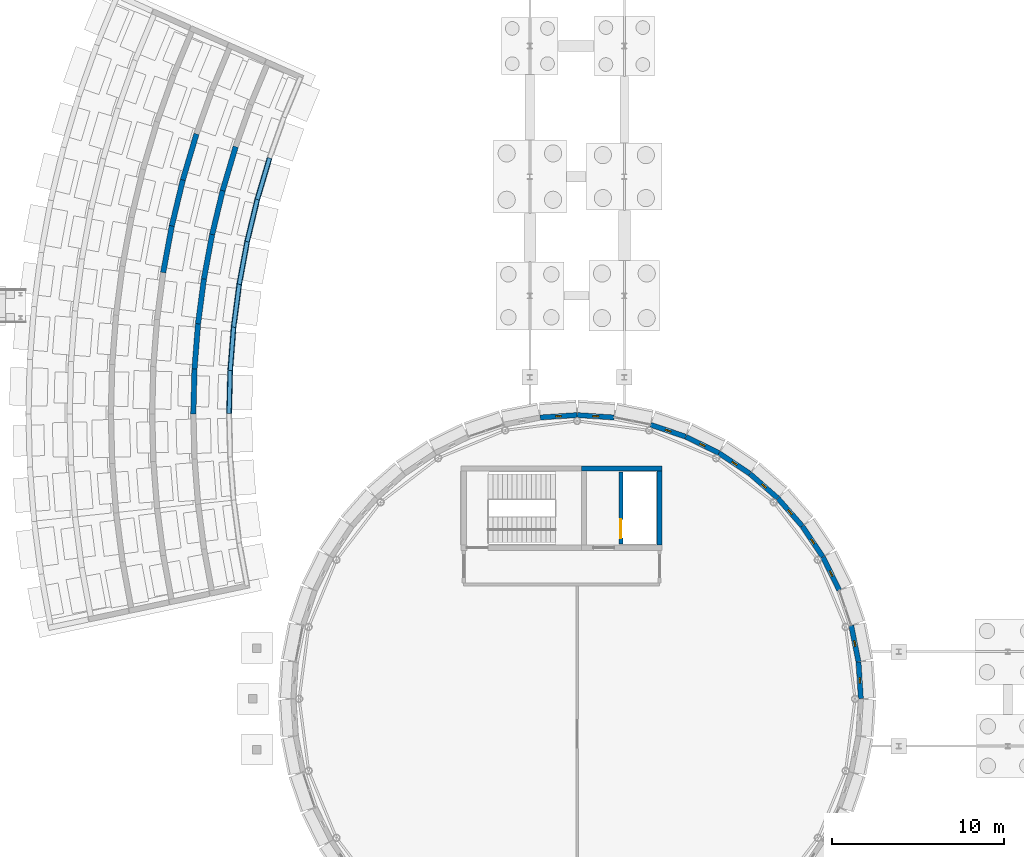
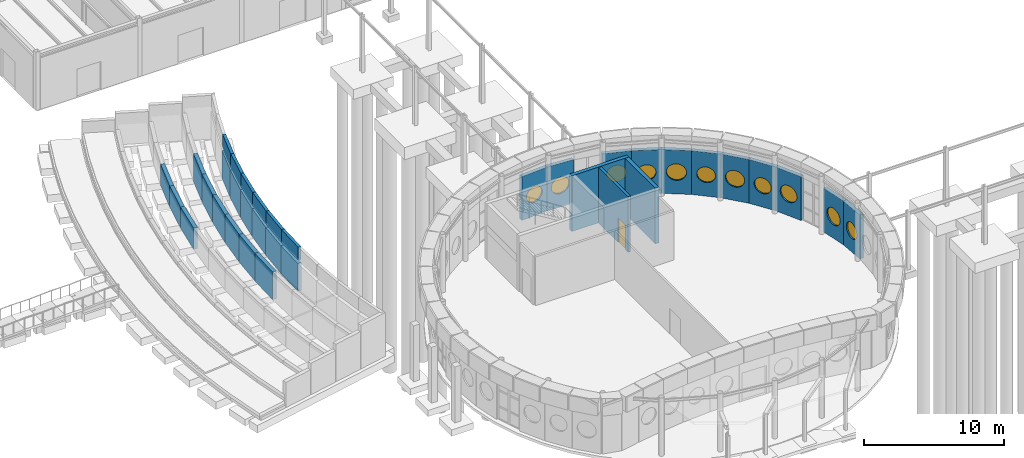
# One storey, part 85 of 109: 35 walls, 11 windows, 1 door, 12 openings.
"""IFC4 building model written with IfcOpenShell, lengths in metres."""

from ifc_helpers import new_model, si_unit, direction, frame, frame_2d, origin, place, context, subcontext, project, spatial, rectangle, circle, extrude, material, layer, layer_set, type_object, element, fill, save


model = new_model("IFC4")

# Units and contexts
model_context = context("Model", 3, precision=1e-05, world=origin(), true_north=direction((0.0, 1.0)))
body_context = subcontext(model_context, "Body", "Model", "MODEL_VIEW")
ifc_project = project(units=[si_unit("LENGTHUNIT", "METRE"), si_unit("AREAUNIT", "SQUARE_METRE"), si_unit("VOLUMEUNIT", "CUBIC_METRE"), si_unit("PLANEANGLEUNIT", "RADIAN"), si_unit("MASSUNIT", "GRAM", prefix="KILO")], contexts=[model_context])

# Site, building, storey
site_placement = place(None, origin())
site = spatial("IfcSite", under=ifc_project, at=site_placement, CompositionType="ELEMENT")
building_placement = place(site_placement, origin())
building = spatial("IfcBuilding", under=site, at=building_placement, Name="Montecoro Central Library", CompositionType="ELEMENT")
storey_placement = place(building_placement, origin())
storey = spatial("IfcBuildingStorey", under=building, at=storey_placement, Name="L00", CompositionType="ELEMENT", Elevation=0.0)

# Wall, opening, window
ifc_material_1 = material(Name="Travertine Roman Stone and concrete C35/45", Category="masonry")
ifc_layer_1 = layer(ifc_material_1, 0.294921875)
ifc_layer_set_1 = layer_set([ifc_layer_1], Name="Travertine Roman Stone and concrete C35/45")
wall_type_1 = type_object("IfcWallType", Name="EW-DRM-295", PredefinedType="SOLIDWALL", material=ifc_layer_set_1)
wall_1_placement = place(storey_placement, frame((108.118896484375, 35.407958984375, 0.0), z_axis=(0.0, 0.0, 1.0), x_axis=(-0.064773567518, 0.997899987449, 0.0)))
wall_1 = element("IfcWall", 1, at=wall_1_placement, inside=storey, type_object=wall_type_1, Name="V1-L00-EW-01", PredefinedType="SOLIDWALL", context=body_context, shape_type="SweptSolid", body=[
    extrude(rectangle(XDim=2.14453125, YDim=0.294921875, at=frame_2d((1.072265625, 0.0))), origin(), (0.0, 0.0, 1.0), 3.820068359375),
])
opening_1_placement = place(wall_1_placement, frame((0.39208984375, 0.0, 1.179931640625)))
opening_1 = element("IfcOpeningElement", 2, at=opening_1_placement, cuts=wall_1, Name="Opening WP-07", PredefinedType="OPENING", context=body_context, shape_type="SweptSolid", body=[
    extrude(circle(Radius=0.68017578125, at=frame_2d((0.68017578125, 0.68017578125))), frame((0.0, 0.157470703125, 0.0), z_axis=(0.0, -1.0, 0.0), x_axis=(1.0, 0.0, 0.0)), (0.0, 0.0, 1.0), 0.31494140625),
])
ifc_material_2 = material(Name="Clear sky-blue low-E laminated glazing", Category="glass")
window_type_1 = type_object("IfcWindowType", Name="WN-POR-CLR-136", PartitioningType="SINGLE_PANEL", PredefinedType="WINDOW", material=ifc_material_2)
window_1_placement = place(opening_1_placement, origin())
window_1 = element("IfcWindow", 3, at=window_1_placement, inside=storey, type_object=window_type_1, Name="V1-L00-WP-01", OverallHeight=1.360107421875, OverallWidth=1.360107421875, PartitioningType="SINGLE_PANEL", PredefinedType="WINDOW", context=body_context, shape_type="SweptSolid", body=[
    extrude(circle(Radius=0.68017578125, at=frame_2d((0.68017578125, 0.68017578125))), frame((0.0, 0.030029296875, 0.0), z_axis=(0.0, -1.0, 0.0), x_axis=(1.0, 0.0, 0.0)), (0.0, 0.0, 1.0), 0.06005859375),
])
fill(opening_1, window_1)

wall_2_placement = place(storey_placement, frame((107.97705078125, 37.56396484375, 0.0), z_axis=(0.0, 0.0, 1.0), x_axis=(-0.194846526766, 0.980833742796, 0.0)))
wall_2 = element("IfcWall", 4, at=wall_2_placement, inside=storey, type_object=wall_type_1, Name="V1-L00-EW-02", PredefinedType="SOLIDWALL", context=body_context, shape_type="SweptSolid", body=[
    extrude(rectangle(XDim=2.14501953125, YDim=0.294921875, at=frame_2d((1.072509765625, 0.0))), origin(), (0.0, 0.0, 1.0), 3.820068359375),
])
opening_2_placement = place(wall_2_placement, frame((0.35302734375, 0.0, 1.179931640625)))
opening_2 = element("IfcOpeningElement", 5, at=opening_2_placement, cuts=wall_2, Name="Opening WP-02", PredefinedType="OPENING", context=body_context, shape_type="SweptSolid", body=[
    extrude(circle(Radius=0.719970703125, at=frame_2d((0.719970703125, 0.719970703125))), frame((0.0, 0.157470703125, 0.0), z_axis=(0.0, -1.0, 0.0), x_axis=(1.0, 0.0, 0.0)), (0.0, 0.0, 1.0), 0.31494140625),
])
ifc_material_3 = material(Name="Frosted pearl-white ceramic-fritted glazing", Category="glass")
window_type_2 = type_object("IfcWindowType", Name="WN-POR-FRT-144", PartitioningType="SINGLE_PANEL", PredefinedType="WINDOW", material=ifc_material_3)
window_2_placement = place(opening_2_placement, origin())
window_2 = element("IfcWindow", 6, at=window_2_placement, inside=storey, type_object=window_type_2, Name="V1-L00-WP-02", OverallHeight=1.43994140625, OverallWidth=1.43994140625, PartitioningType="SINGLE_PANEL", PredefinedType="WINDOW", context=body_context, shape_type="SweptSolid", body=[
    extrude(circle(Radius=0.719970703125, at=frame_2d((0.719970703125, 0.719970703125))), frame((0.0, 0.030029296875, 0.0), z_axis=(0.0, -1.0, 0.0), x_axis=(1.0, 0.0, 0.0)), (0.0, 0.0, 1.0), 0.06005859375),
])
fill(opening_2, window_2)

wall_3_placement = place(storey_placement, frame((106.85791015625, 41.72900390625, 0.0), z_axis=(0.0, 0.0, 1.0), x_axis=(-0.441603666205, 0.897210232885, 0.0)))
wall_3 = element("IfcWall", 7, at=wall_3_placement, inside=storey, type_object=wall_type_1, Name="V1-L00-EW-04", PredefinedType="SOLIDWALL", context=body_context, shape_type="SweptSolid", body=[
    extrude(rectangle(XDim=2.14453125, YDim=0.294921875, at=frame_2d((1.072265625, 0.0))), origin(), (0.0, 0.0, 1.0), 3.820068359375),
])
opening_3_placement = place(wall_3_placement, frame((0.35205078125, 0.0, 1.179931640625)))
opening_3 = element("IfcOpeningElement", 8, at=opening_3_placement, cuts=wall_3, Name="Opening WP-02", PredefinedType="OPENING", context=body_context, shape_type="SweptSolid", body=[
    extrude(circle(Radius=0.719970703125, at=frame_2d((0.719970703125, 0.719970703125))), frame((0.0, 0.157470703125, 0.0), z_axis=(0.0, -1.0, 0.0), x_axis=(1.0, 0.0, 0.0)), (0.0, 0.0, 1.0), 0.31494140625),
])
window_3_placement = place(opening_3_placement, origin())
window_3 = element("IfcWindow", 9, at=window_3_placement, inside=storey, type_object=window_type_2, Name="V1-L00-WP-04", OverallHeight=1.43994140625, OverallWidth=1.43994140625, PartitioningType="SINGLE_PANEL", PredefinedType="WINDOW", context=body_context, shape_type="SweptSolid", body=[
    extrude(circle(Radius=0.719970703125, at=frame_2d((0.719970703125, 0.719970703125))), frame((0.0, 0.030029296875, 0.0), z_axis=(0.0, -1.0, 0.0), x_axis=(1.0, 0.0, 0.0)), (0.0, 0.0, 1.0), 0.06005859375),
])
fill(opening_3, window_3)

wall_4_placement = place(storey_placement, frame((105.903076171875, 43.6669921875, 0.0), z_axis=(0.0, 0.0, 1.0), x_axis=(-0.556143753234, 0.831086112108, 0.0)))
wall_4 = element("IfcWall", 10, at=wall_4_placement, inside=storey, type_object=wall_type_1, Name="V1-L00-EW-05", PredefinedType="SOLIDWALL", context=body_context, shape_type="SweptSolid", body=[
    extrude(rectangle(XDim=2.145263671875, YDim=0.294921875, at=frame_2d((1.07275390625, 0.0))), origin(), (0.0, 0.0, 1.0), 3.820068359375),
])
opening_4_placement = place(wall_4_placement, frame((0.39306640625, 0.0, 1.179931640625)))
opening_4 = element("IfcOpeningElement", 11, at=opening_4_placement, cuts=wall_4, Name="Opening WP-07", PredefinedType="OPENING", context=body_context, shape_type="SweptSolid", body=[
    extrude(circle(Radius=0.68017578125, at=frame_2d((0.68017578125, 0.68017578125))), frame((0.0, 0.157470703125, 0.0), z_axis=(0.0, -1.0, 0.0), x_axis=(1.0, 0.0, 0.0)), (0.0, 0.0, 1.0), 0.31494140625),
])
window_4_placement = place(opening_4_placement, origin())
window_4 = element("IfcWindow", 12, at=window_4_placement, inside=storey, type_object=window_type_1, Name="V1-L00-WP-05", OverallHeight=1.360107421875, OverallWidth=1.360107421875, PartitioningType="SINGLE_PANEL", PredefinedType="WINDOW", context=body_context, shape_type="SweptSolid", body=[
    extrude(circle(Radius=0.68017578125, at=frame_2d((0.68017578125, 0.68017578125))), frame((0.0, 0.030029296875, 0.0), z_axis=(0.0, -1.0, 0.0), x_axis=(1.0, 0.0, 0.0)), (0.0, 0.0, 1.0), 0.06005859375),
])
fill(opening_4, window_4)

wall_5_placement = place(storey_placement, frame((104.700927734375, 45.462890625, 0.0), z_axis=(0.0, 0.0, 1.0), x_axis=(-0.659688303725, 0.751539314958, 0.0)))
wall_5 = element("IfcWall", 13, at=wall_5_placement, inside=storey, type_object=wall_type_1, Name="V1-L00-EW-06", PredefinedType="SOLIDWALL", context=body_context, shape_type="SweptSolid", body=[
    extrude(rectangle(XDim=2.14501953125, YDim=0.294921875, at=frame_2d((1.072509765625, 0.0))), origin(), (0.0, 0.0, 1.0), 3.820068359375),
])
opening_5_placement = place(wall_5_placement, frame((0.35205078125, 0.0, 1.179931640625)))
opening_5 = element("IfcOpeningElement", 14, at=opening_5_placement, cuts=wall_5, Name="Opening WP-02", PredefinedType="OPENING", context=body_context, shape_type="SweptSolid", body=[
    extrude(circle(Radius=0.719970703125, at=frame_2d((0.719970703125, 0.719970703125))), frame((0.0, 0.157470703125, 0.0), z_axis=(0.0, -1.0, 0.0), x_axis=(1.0, 0.0, 0.0)), (0.0, 0.0, 1.0), 0.31494140625),
])
window_5_placement = place(opening_5_placement, origin())
window_5 = element("IfcWindow", 15, at=window_5_placement, inside=storey, type_object=window_type_2, Name="V1-L00-WP-06", OverallHeight=1.43994140625, OverallWidth=1.43994140625, PartitioningType="SINGLE_PANEL", PredefinedType="WINDOW", context=body_context, shape_type="SweptSolid", body=[
    extrude(circle(Radius=0.719970703125, at=frame_2d((0.719970703125, 0.719970703125))), frame((0.0, 0.030029296875, 0.0), z_axis=(0.0, -1.0, 0.0), x_axis=(1.0, 0.0, 0.0)), (0.0, 0.0, 1.0), 0.06005859375),
])
fill(opening_5, window_5)

wall_6_placement = place(storey_placement, frame((103.27490234375, 47.0859375, 0.0), z_axis=(0.0, 0.0, 1.0), x_axis=(-0.751489776362, 0.659744735503, 0.0)))
wall_6 = element("IfcWall", 16, at=wall_6_placement, inside=storey, type_object=wall_type_1, Name="V1-L00-EW-07", PredefinedType="SOLIDWALL", context=body_context, shape_type="SweptSolid", body=[
    extrude(rectangle(XDim=2.144775390625, YDim=0.294921875, at=frame_2d((1.072265625, 0.0))), origin(), (0.0, 0.0, 1.0), 3.820068359375),
])
opening_6_placement = place(wall_6_placement, frame((0.39208984375, 0.0, 1.179931640625)))
opening_6 = element("IfcOpeningElement", 17, at=opening_6_placement, cuts=wall_6, Name="Opening WP-07", PredefinedType="OPENING", context=body_context, shape_type="SweptSolid", body=[
    extrude(circle(Radius=0.68017578125, at=frame_2d((0.68017578125, 0.68017578125))), frame((0.0, 0.157470703125, 0.0), z_axis=(0.0, -1.0, 0.0), x_axis=(1.0, 0.0, 0.0)), (0.0, 0.0, 1.0), 0.31494140625),
])
window_6_placement = place(opening_6_placement, origin())
window_6 = element("IfcWindow", 18, at=window_6_placement, inside=storey, type_object=window_type_1, Name="V1-L00-WP-07", OverallHeight=1.360107421875, OverallWidth=1.360107421875, PartitioningType="SINGLE_PANEL", PredefinedType="WINDOW", context=body_context, shape_type="SweptSolid", body=[
    extrude(circle(Radius=0.68017578125, at=frame_2d((0.68017578125, 0.68017578125))), frame((0.0, 0.030029296875, 0.0), z_axis=(0.0, -1.0, 0.0), x_axis=(1.0, 0.0, 0.0)), (0.0, 0.0, 1.0), 0.06005859375),
])
fill(opening_6, window_6)

wall_7_placement = place(storey_placement, frame((101.64990234375, 48.510009765625, 0.0), z_axis=(0.0, 0.0, 1.0), x_axis=(-0.831138710759, 0.556065143197, 0.0)))
wall_7 = element("IfcWall", 19, at=wall_7_placement, inside=storey, type_object=wall_type_1, Name="V1-L00-EW-08", PredefinedType="SOLIDWALL", context=body_context, shape_type="SweptSolid", body=[
    extrude(rectangle(XDim=2.145263671875, YDim=0.294921875, at=frame_2d((1.07275390625, 0.0))), origin(), (0.0, 0.0, 1.0), 3.820068359375),
])
opening_7_placement = place(wall_7_placement, frame((0.35302734375, 0.0, 1.179931640625)))
opening_7 = element("IfcOpeningElement", 20, at=opening_7_placement, cuts=wall_7, Name="Opening WP-02", PredefinedType="OPENING", context=body_context, shape_type="SweptSolid", body=[
    extrude(circle(Radius=0.719970703125, at=frame_2d((0.719970703125, 0.719970703125))), frame((0.0, 0.157470703125, 0.0), z_axis=(0.0, -1.0, 0.0), x_axis=(1.0, 0.0, 0.0)), (0.0, 0.0, 1.0), 0.31494140625),
])
window_7_placement = place(opening_7_placement, origin())
window_7 = element("IfcWindow", 21, at=window_7_placement, inside=storey, type_object=window_type_2, Name="V1-L00-WP-08", OverallHeight=1.43994140625, OverallWidth=1.43994140625, PartitioningType="SINGLE_PANEL", PredefinedType="WINDOW", context=body_context, shape_type="SweptSolid", body=[
    extrude(circle(Radius=0.719970703125, at=frame_2d((0.719970703125, 0.719970703125))), frame((0.0, 0.030029296875, 0.0), z_axis=(0.0, -1.0, 0.0), x_axis=(1.0, 0.0, 0.0)), (0.0, 0.0, 1.0), 0.06005859375),
])
fill(opening_7, window_7)

wall_8_placement = place(storey_placement, frame((99.85302734375, 49.7109375, 0.0), z_axis=(0.0, 0.0, 1.0), x_axis=(-0.897210232885, 0.441603666205, 0.0)))
wall_8 = element("IfcWall", 22, at=wall_8_placement, inside=storey, type_object=wall_type_1, Name="V1-L00-EW-09", PredefinedType="SOLIDWALL", context=body_context, shape_type="SweptSolid", body=[
    extrude(rectangle(XDim=2.14453125, YDim=0.294921875, at=frame_2d((1.072265625, 0.0))), origin(), (0.0, 0.0, 1.0), 3.820068359375),
])
opening_8_placement = place(wall_8_placement, frame((0.39208984375, 0.0, 1.179931640625)))
opening_8 = element("IfcOpeningElement", 23, at=opening_8_placement, cuts=wall_8, Name="Opening WP-07", PredefinedType="OPENING", context=body_context, shape_type="SweptSolid", body=[
    extrude(circle(Radius=0.68017578125, at=frame_2d((0.68017578125, 0.68017578125))), frame((0.0, 0.157470703125, 0.0), z_axis=(0.0, -1.0, 0.0), x_axis=(1.0, 0.0, 0.0)), (0.0, 0.0, 1.0), 0.31494140625),
])
window_8_placement = place(opening_8_placement, origin())
window_8 = element("IfcWindow", 24, at=window_8_placement, inside=storey, type_object=window_type_1, Name="V1-L00-WP-09", OverallHeight=1.360107421875, OverallWidth=1.360107421875, PartitioningType="SINGLE_PANEL", PredefinedType="WINDOW", context=body_context, shape_type="SweptSolid", body=[
    extrude(circle(Radius=0.68017578125, at=frame_2d((0.68017578125, 0.68017578125))), frame((0.0, 0.030029296875, 0.0), z_axis=(0.0, -1.0, 0.0), x_axis=(1.0, 0.0, 0.0)), (0.0, 0.0, 1.0), 0.06005859375),
])
fill(opening_8, window_8)

wall_9_placement = place(storey_placement, frame((97.9140625, 50.6650390625, 0.0), z_axis=(0.0, 0.0, 1.0), x_axis=(-0.946949614692, 0.321382058047, 0.0)))
wall_9 = element("IfcWall", 25, at=wall_9_placement, inside=storey, type_object=wall_type_1, Name="V1-L00-EW-10", PredefinedType="SOLIDWALL", context=body_context, shape_type="SweptSolid", body=[
    extrude(rectangle(XDim=2.143798828125, YDim=0.294921875, at=frame_2d((1.07177734375, 0.0))), origin(), (0.0, 0.0, 1.0), 3.820068359375),
])
opening_9_placement = place(wall_9_placement, frame((0.35205078125, 0.0, 1.179931640625)))
opening_9 = element("IfcOpeningElement", 26, at=opening_9_placement, cuts=wall_9, Name="Opening WP-02", PredefinedType="OPENING", context=body_context, shape_type="SweptSolid", body=[
    extrude(circle(Radius=0.719970703125, at=frame_2d((0.719970703125, 0.719970703125))), frame((0.0, 0.157470703125, 0.0), z_axis=(0.0, -1.0, 0.0), x_axis=(1.0, 0.0, 0.0)), (0.0, 0.0, 1.0), 0.31494140625),
])
window_9_placement = place(opening_9_placement, origin())
window_9 = element("IfcWindow", 27, at=window_9_placement, inside=storey, type_object=window_type_2, Name="V1-L00-WP-10", OverallHeight=1.43994140625, OverallWidth=1.43994140625, PartitioningType="SINGLE_PANEL", PredefinedType="WINDOW", context=body_context, shape_type="SweptSolid", body=[
    extrude(circle(Radius=0.719970703125, at=frame_2d((0.719970703125, 0.719970703125))), frame((0.0, 0.030029296875, 0.0), z_axis=(0.0, -1.0, 0.0), x_axis=(1.0, 0.0, 0.0)), (0.0, 0.0, 1.0), 0.06005859375),
])
fill(opening_9, window_9)

wall_10_placement = place(storey_placement, frame((93.748046875, 51.780029296875, 0.0), z_axis=(0.0, 0.0, 1.0), x_axis=(-0.997899987449, 0.064773567518, 0.0)))
wall_10 = element("IfcWall", 28, at=wall_10_placement, inside=storey, type_object=wall_type_1, Name="V1-L00-EW-12", PredefinedType="SOLIDWALL", context=body_context, shape_type="SweptSolid", body=[
    extrude(rectangle(XDim=2.14453125, YDim=0.294921875, at=frame_2d((1.072265625, 0.0))), origin(), (0.0, 0.0, 1.0), 3.820068359375),
])
opening_10_placement = place(wall_10_placement, frame((0.35205078125, 0.0, 1.179931640625)))
opening_10 = element("IfcOpeningElement", 29, at=opening_10_placement, cuts=wall_10, Name="Opening WP-02", PredefinedType="OPENING", context=body_context, shape_type="SweptSolid", body=[
    extrude(circle(Radius=0.719970703125, at=frame_2d((0.719970703125, 0.719970703125))), frame((0.0, 0.157470703125, 0.0), z_axis=(0.0, -1.0, 0.0), x_axis=(1.0, 0.0, 0.0)), (0.0, 0.0, 1.0), 0.31494140625),
])
window_10_placement = place(opening_10_placement, origin())
window_10 = element("IfcWindow", 30, at=window_10_placement, inside=storey, type_object=window_type_2, Name="V1-L00-WP-12", OverallHeight=1.43994140625, OverallWidth=1.43994140625, PartitioningType="SINGLE_PANEL", PredefinedType="WINDOW", context=body_context, shape_type="SweptSolid", body=[
    extrude(circle(Radius=0.719970703125, at=frame_2d((0.719970703125, 0.719970703125))), frame((0.0, 0.030029296875, 0.0), z_axis=(0.0, -1.0, 0.0), x_axis=(1.0, 0.0, 0.0)), (0.0, 0.0, 1.0), 0.06005859375),
])
fill(opening_10, window_10)

wall_11_placement = place(storey_placement, frame((91.592041015625, 51.9189453125, 0.0), z_axis=(0.0, 0.0, 1.0), x_axis=(-0.997899987449, -0.064773567518, 0.0)))
wall_11 = element("IfcWall", 31, at=wall_11_placement, inside=storey, type_object=wall_type_1, Name="V1-L00-EW-13", PredefinedType="SOLIDWALL", context=body_context, shape_type="SweptSolid", body=[
    extrude(rectangle(XDim=2.14453125, YDim=0.294921875, at=frame_2d((1.072265625, 0.0))), origin(), (0.0, 0.0, 1.0), 3.820068359375),
])
opening_11_placement = place(wall_11_placement, frame((0.39208984375, 0.0, 1.179931640625)))
opening_11 = element("IfcOpeningElement", 32, at=opening_11_placement, cuts=wall_11, Name="Opening WP-07", PredefinedType="OPENING", context=body_context, shape_type="SweptSolid", body=[
    extrude(circle(Radius=0.68017578125, at=frame_2d((0.68017578125, 0.68017578125))), frame((0.0, 0.157470703125, 0.0), z_axis=(0.0, -1.0, 0.0), x_axis=(1.0, 0.0, 0.0)), (0.0, 0.0, 1.0), 0.31494140625),
])
window_11_placement = place(opening_11_placement, origin())
window_11 = element("IfcWindow", 33, at=window_11_placement, inside=storey, type_object=window_type_1, Name="V1-L00-WP-13", OverallHeight=1.360107421875, OverallWidth=1.360107421875, PartitioningType="SINGLE_PANEL", PredefinedType="WINDOW", context=body_context, shape_type="SweptSolid", body=[
    extrude(circle(Radius=0.68017578125, at=frame_2d((0.68017578125, 0.68017578125))), frame((0.0, 0.030029296875, 0.0), z_axis=(0.0, -1.0, 0.0), x_axis=(1.0, 0.0, 0.0)), (0.0, 0.0, 1.0), 0.06005859375),
])
fill(opening_11, window_11)

# Walls
ifc_material_4 = material(Name="White Roman travertine stone clad concrete C32/40", Category="masonry")
ifc_layer_2 = layer(ifc_material_4, 0.235107421875)
ifc_layer_set_2 = layer_set([ifc_layer_2], Name="White Roman travertine stone clad concrete C32/40")
wall_type_2 = type_object("IfcWallType", Name="EW-PAR-235", PredefinedType="PARAPET", material=ifc_layer_set_2)
wall_12_placement = place(storey_placement, frame((73.697021484375, 66.882080078125, 2.699951171875), z_axis=(0.0, 0.0, 1.0), x_axis=(-0.284058651937, -0.958806905617, 0.0)))
element("IfcWall", 34, at=wall_12_placement, inside=storey, type_object=wall_type_2, Name="V1-STEP-IPAR-03", PredefinedType="PARAPET", context=body_context, shape_type="SweptSolid", body=[
    extrude(rectangle(XDim=2.520751953125, YDim=0.235107421875, at=frame_2d((1.26025390625, 0.0))), origin(), (0.0, 0.0, 1.0), 1.1201171875),
])
wall_13_placement = place(storey_placement, frame((72.98095703125, 64.465087890625, 2.699951171875), z_axis=(0.0, 0.0, 1.0), x_axis=(-0.23350476371, -0.972355657836, 0.0)))
element("IfcWall", 35, at=wall_13_placement, inside=storey, type_object=wall_type_2, Name="V1-STEP-IPAR-04", PredefinedType="PARAPET", context=body_context, shape_type="SweptSolid", body=[
    extrude(rectangle(XDim=2.52197265625, YDim=0.235107421875, at=frame_2d((1.260986328125, 0.0))), origin(), (0.0, 0.0, 1.0), 1.1201171875),
])
wall_14_placement = place(storey_placement, frame((72.39208984375, 62.012939453125, 2.699951171875), z_axis=(0.0, 0.0, 1.0), x_axis=(-0.182054583495, -0.983288425961, 0.0)))
element("IfcWall", 36, at=wall_14_placement, inside=storey, type_object=wall_type_2, Name="V1-STEP-IPAR-05", PredefinedType="PARAPET", context=body_context, shape_type="SweptSolid", body=[
    extrude(rectangle(XDim=2.521240234375, YDim=0.235107421875, at=frame_2d((1.2607421875, 0.0))), origin(), (0.0, 0.0, 1.0), 1.1201171875),
])
wall_15_placement = place(storey_placement, frame((71.93310546875, 59.533935546875, 2.699951171875), z_axis=(0.0, 0.0, 1.0), x_axis=(-0.130514621721, -0.99144638459, 0.0)))
element("IfcWall", 37, at=wall_15_placement, inside=storey, type_object=wall_type_2, Name="V1-STEP-IPAR-06", PredefinedType="PARAPET", context=body_context, shape_type="SweptSolid", body=[
    extrude(rectangle(XDim=2.521484375, YDim=0.235107421875, at=frame_2d((1.2607421875, 0.0))), origin(), (0.0, 0.0, 1.0), 1.1201171875),
])
wall_16_placement = place(storey_placement, frame((71.60400390625, 57.033935546875, 2.699951171875), z_axis=(0.0, 0.0, 1.0), x_axis=(-0.078517647766, -0.996912723858, 0.0)))
element("IfcWall", 38, at=wall_16_placement, inside=storey, type_object=wall_type_2, Name="V1-STEP-IPAR-07", PredefinedType="PARAPET", context=body_context, shape_type="SweptSolid", body=[
    extrude(rectangle(XDim=2.521728515625, YDim=0.235107421875, at=frame_2d((1.2607421875, 0.0))), origin(), (0.0, 0.0, 1.0), 1.1201171875),
])
wall_17_placement = place(storey_placement, frame((71.406005859375, 54.52001953125, 2.699951171875), z_axis=(0.0, 0.0, 1.0), x_axis=(-0.02614877706, -0.999658062268, 0.0)))
element("IfcWall", 39, at=wall_17_placement, inside=storey, type_object=wall_type_2, Name="V1-STEP-IPAR-08", PredefinedType="PARAPET", context=body_context, shape_type="SweptSolid", body=[
    extrude(rectangle(XDim=2.52099609375, YDim=0.235107421875, at=frame_2d((1.260498046875, 0.0))), origin(), (0.0, 0.0, 1.0), 1.1201171875),
])
ifc_material_5 = material(Name="Roman travertine stone clad concrete C35/45", Category="masonry")
ifc_layer_3 = layer(ifc_material_5, 0.31005859375)
ifc_layer_set_3 = layer_set([ifc_layer_3], Name="Roman travertine stone clad concrete C35/45")
wall_type_3 = type_object("IfcWallType", Name="EW-TRV-LB-310", PredefinedType="SOLIDWALL", material=ifc_layer_set_3)
for number, where, z_axis, x_axis, name in (
    (40, (69.443115234375, 68.285888671875, 0.0), (0.0, 0.0, 1.0), (-0.28435882689, -0.958717923881, 0.0), "Stepped Terrace Retaining Wall 4"),
    (41, (68.658935546875, 65.64404296875, 0.0), (0.0, 0.0, 1.0), (-0.233465412237, -0.972365106989, 0.0), "Stepped Terrace Retaining Wall 4"),
):
    element("IfcWall", number, at=place(storey_placement, frame(where, z_axis=z_axis, x_axis=x_axis)), inside=storey, type_object=wall_type_3, Name=name, PredefinedType="SOLIDWALL", context=body_context, shape_type="SweptSolid", body=[
        extrude(rectangle(XDim=2.79638671875, YDim=0.31005859375, at=frame_2d((1.398193359375, 0.0))), origin(), (0.0, 0.0, 1.0), 1.860107421875),
    ])
wall_18_placement = place(storey_placement, frame((68.013916015625, 62.964111328125, 0.0), z_axis=(0.0, 0.0, 1.0), x_axis=(-0.182073624961, -0.983284900267, 0.0)))
element("IfcWall", 42, at=wall_18_placement, inside=storey, type_object=wall_type_3, Name="Stepped Terrace Retaining Wall 4", PredefinedType="SOLIDWALL", context=body_context, shape_type="SweptSolid", body=[
    extrude(rectangle(XDim=2.795654296875, YDim=0.31005859375, at=frame_2d((1.39794921875, 0.0))), origin(), (0.0, 0.0, 1.0), 1.860107421875),
])
wall_19_placement = place(storey_placement, frame((71.72509765625, 67.5439453125, 0.0), z_axis=(0.0, 0.0, 1.0), x_axis=(-0.283923317142, -0.95884698987, 0.0)))
element("IfcWall", 43, at=wall_19_placement, inside=storey, type_object=wall_type_3, Name="Stepped Terrace Retaining Wall 5", PredefinedType="SOLIDWALL", context=body_context, shape_type="SweptSolid", body=[
    extrude(rectangle(XDim=2.669921875, YDim=0.31005859375, at=frame_2d((1.3349609375, 0.0))), origin(), (0.0, 0.0, 1.0), 2.419921875),
])
wall_20_placement = place(storey_placement, frame((70.97705078125, 65.02197265625, 0.0), z_axis=(0.0, 0.0, 1.0), x_axis=(-0.233379870003, -0.972385641748, 0.0)))
element("IfcWall", 44, at=wall_20_placement, inside=storey, type_object=wall_type_3, Name="Stepped Terrace Retaining Wall 5", PredefinedType="SOLIDWALL", context=body_context, shape_type="SweptSolid", body=[
    extrude(rectangle(XDim=2.669677734375, YDim=0.31005859375, at=frame_2d((1.3349609375, 0.0))), origin(), (0.0, 0.0, 1.0), 2.419921875),
])
for number, where, z_axis, x_axis, name in (
    (45, (70.362060546875, 62.465087890625, 0.0), (0.0, 0.0, 1.0), (-0.18243307797, -0.983218272848, 0.0), "Stepped Terrace Retaining Wall 5"),
    (46, (69.882080078125, 59.87890625, 0.0), (0.0, 0.0, 1.0), (-0.130762010251, -0.991413786809, 0.0), "Stepped Terrace Retaining Wall 5"),
):
    element("IfcWall", number, at=place(storey_placement, frame(where, z_axis=z_axis, x_axis=x_axis)), inside=storey, type_object=wall_type_3, Name=name, PredefinedType="SOLIDWALL", context=body_context, shape_type="SweptSolid", body=[
        extrude(rectangle(XDim=2.669921875, YDim=0.31005859375, at=frame_2d((1.3349609375, 0.0))), origin(), (0.0, 0.0, 1.0), 2.419921875),
    ])
wall_21_placement = place(storey_placement, frame((69.537109375, 57.27099609375, 0.0), z_axis=(0.0, 0.0, 1.0), x_axis=(-0.07835338227, -0.996925647923, 0.0)))
element("IfcWall", 47, at=wall_21_placement, inside=storey, type_object=wall_type_3, Name="Stepped Terrace Retaining Wall 5", PredefinedType="SOLIDWALL", context=body_context, shape_type="SweptSolid", body=[
    extrude(rectangle(XDim=2.67041015625, YDim=0.31005859375, at=frame_2d((1.335205078125, 0.0))), origin(), (0.0, 0.0, 1.0), 2.419921875),
])
wall_22_placement = place(storey_placement, frame((69.330078125, 54.64892578125, 0.0), z_axis=(0.0, 0.0, 1.0), x_axis=(-0.026244159029, -0.99965556274, 0.0)))
element("IfcWall", 48, at=wall_22_placement, inside=storey, type_object=wall_type_3, Name="Stepped Terrace Retaining Wall 5", PredefinedType="SOLIDWALL", context=body_context, shape_type="SweptSolid", body=[
    extrude(rectangle(XDim=2.669921875, YDim=0.31005859375, at=frame_2d((1.3349609375, 0.0))), origin(), (0.0, 0.0, 1.0), 2.419921875),
])
wall_23_placement = place(storey_placement, frame((73.697021484375, 66.882080078125, 0.0), z_axis=(0.0, 0.0, 1.0), x_axis=(-0.284058651937, -0.958806905617, 0.0)))
element("IfcWall", 49, at=wall_23_placement, inside=storey, type_object=wall_type_3, Name="Stepped Terrace Inner Retaining Wall", PredefinedType="SOLIDWALL", context=body_context, shape_type="SweptSolid", body=[
    extrude(rectangle(XDim=2.520751953125, YDim=0.31005859375, at=frame_2d((1.26025390625, 0.0))), origin(), (0.0, 0.0, 1.0), 2.419921875),
])
wall_24_placement = place(storey_placement, frame((72.98095703125, 64.465087890625, 0.0), z_axis=(0.0, 0.0, 1.0), x_axis=(-0.23350476371, -0.972355657836, 0.0)))
element("IfcWall", 50, at=wall_24_placement, inside=storey, type_object=wall_type_3, Name="Stepped Terrace Inner Retaining Wall", PredefinedType="SOLIDWALL", context=body_context, shape_type="SweptSolid", body=[
    extrude(rectangle(XDim=2.52197265625, YDim=0.31005859375, at=frame_2d((1.260986328125, 0.0))), origin(), (0.0, 0.0, 1.0), 2.419921875),
])
wall_25_placement = place(storey_placement, frame((72.39208984375, 62.012939453125, 0.0), z_axis=(0.0, 0.0, 1.0), x_axis=(-0.182054583495, -0.983288425961, 0.0)))
element("IfcWall", 51, at=wall_25_placement, inside=storey, type_object=wall_type_3, Name="Stepped Terrace Inner Retaining Wall", PredefinedType="SOLIDWALL", context=body_context, shape_type="SweptSolid", body=[
    extrude(rectangle(XDim=2.521240234375, YDim=0.31005859375, at=frame_2d((1.2607421875, 0.0))), origin(), (0.0, 0.0, 1.0), 2.419921875),
])
wall_26_placement = place(storey_placement, frame((71.93310546875, 59.533935546875, 0.0), z_axis=(0.0, 0.0, 1.0), x_axis=(-0.130514621721, -0.99144638459, 0.0)))
element("IfcWall", 52, at=wall_26_placement, inside=storey, type_object=wall_type_3, Name="Stepped Terrace Inner Retaining Wall", PredefinedType="SOLIDWALL", context=body_context, shape_type="SweptSolid", body=[
    extrude(rectangle(XDim=2.521484375, YDim=0.31005859375, at=frame_2d((1.2607421875, 0.0))), origin(), (0.0, 0.0, 1.0), 2.419921875),
])
wall_27_placement = place(storey_placement, frame((71.60400390625, 57.033935546875, 0.0), z_axis=(0.0, 0.0, 1.0), x_axis=(-0.078517647766, -0.996912723858, 0.0)))
element("IfcWall", 53, at=wall_27_placement, inside=storey, type_object=wall_type_3, Name="Stepped Terrace Inner Retaining Wall", PredefinedType="SOLIDWALL", context=body_context, shape_type="SweptSolid", body=[
    extrude(rectangle(XDim=2.521728515625, YDim=0.31005859375, at=frame_2d((1.2607421875, 0.0))), origin(), (0.0, 0.0, 1.0), 2.419921875),
])
wall_28_placement = place(storey_placement, frame((71.406005859375, 54.52001953125, 0.0), z_axis=(0.0, 0.0, 1.0), x_axis=(-0.02614877706, -0.999658062268, 0.0)))
element("IfcWall", 54, at=wall_28_placement, inside=storey, type_object=wall_type_3, Name="Stepped Terrace Inner Retaining Wall", PredefinedType="SOLIDWALL", context=body_context, shape_type="SweptSolid", body=[
    extrude(rectangle(XDim=2.52099609375, YDim=0.31005859375, at=frame_2d((1.260498046875, 0.0))), origin(), (0.0, 0.0, 1.0), 2.419921875),
])

# Wall, opening, door
ifc_material_6 = material(Name="Concrete C32/40", Category="concrete")
ifc_layer_4 = layer(ifc_material_6, 0.219970703125)
ifc_layer_set_4 = layer_set([ifc_layer_4], Name="Concrete C32/40")
wall_type_4 = type_object("IfcWallType", Name="IW-FFL-220", PredefinedType="SOLIDWALL", material=ifc_layer_set_4)
wall_29_placement = place(storey_placement, frame((94.14990234375, 44.39990234375, 0.0), z_axis=(0.0, 0.0, 1.0), x_axis=(0.0, 1.0, 0.0)))
wall_29 = element("IfcWall", 55, at=wall_29_placement, inside=storey, type_object=wall_type_4, Name="C1-L00-WLSH", PredefinedType="SOLIDWALL", context=body_context, shape_type="SweptSolid", body=[
    extrude(rectangle(XDim=4.2001953125, YDim=0.219970703125, at=frame_2d((2.10009765625, 0.0))), origin(), (0.0, 0.0, 1.0), 4.864990234375),
])
opening_12_placement = place(wall_29_placement, frame((0.35009765625, 0.0, 0.0)))
opening_12 = element("IfcOpeningElement", 56, at=opening_12_placement, cuts=wall_29, Name="Opening LD-01", PredefinedType="OPENING", context=body_context, shape_type="SweptSolid", body=[
    extrude(rectangle(XDim=1.10009765625, YDim=2.14990234375, at=frame_2d((0.550048828125, 1.074951171875))), frame((0.0, 0.119873046875, 0.0), z_axis=(0.0, -1.0, 0.0), x_axis=(1.0, 0.0, 0.0)), (0.0, 0.0, 1.0), 0.239990234375),
])
ifc_material_7 = material(Name="Solid oak and fire-rated steel door", Category="steel")
door_type = type_object("IfcDoorType", Name="LD-LIFT-110", OperationType="NOTDEFINED", PredefinedType="DOOR", material=ifc_material_7)
door_placement = place(opening_12_placement, origin())
door = element("IfcDoor", 57, at=door_placement, inside=storey, type_object=door_type, Name="C1-L00-LD-PL-01", OperationType="SLIDING_TO_LEFT", OverallHeight=2.14990234375, OverallWidth=1.10009765625, PredefinedType="DOOR", context=body_context, shape_type="SweptSolid", body=[
    extrude(rectangle(XDim=1.10009765625, YDim=2.14990234375, at=frame_2d((0.550048828125, 1.074951171875))), frame((0.0, 0.02490234375, 0.0), z_axis=(0.0, -1.0, 0.0), x_axis=(1.0, 0.0, 0.0)), (0.0, 0.0, 1.0), 0.050048828125),
])
fill(opening_12, door)

# Walls
ifc_material_8 = material(Name="Concrete C35/45", Category="concrete")
ifc_layer_5 = layer(ifc_material_8, 0.300048828125)
ifc_layer_set_5 = layer_set([ifc_layer_5], Name="Concrete C35/45")
wall_type_5 = type_object("IfcWallType", Name="IW-SHR-300", PredefinedType="SHEAR", material=ifc_layer_set_5)
wall_30_placement = place(storey_placement, frame((96.550048828125, 48.800048828125, 0.0), z_axis=(0.0, 0.0, 1.0), x_axis=(-1.0, 0.0, 0.0)))
element("IfcWall", 58, at=wall_30_placement, inside=storey, type_object=wall_type_5, Name="C1-L00-LWN", PredefinedType="SHEAR", context=body_context, shape_type="SweptSolid", body=[
    extrude(rectangle(XDim=4.699951171875, YDim=0.300048828125, at=frame_2d((2.35009765625, 0.0))), origin(), (0.0, 0.0, 1.0), 4.864990234375),
])
wall_31_placement = place(storey_placement, frame((96.39990234375, 44.35009765625, 0.0), z_axis=(0.0, 0.0, 1.0), x_axis=(0.0, 1.0, 0.0)))
element("IfcWall", 59, at=wall_31_placement, inside=storey, type_object=wall_type_5, Name="C1-L00-LWE", PredefinedType="SHEAR", context=body_context, shape_type="SweptSolid", body=[
    extrude(rectangle(XDim=4.2998046875, YDim=0.300048828125, at=frame_2d((2.14990234375, 0.0))), origin(), (0.0, 0.0, 1.0), 4.864990234375),
])

save(model, "model.ifc")
